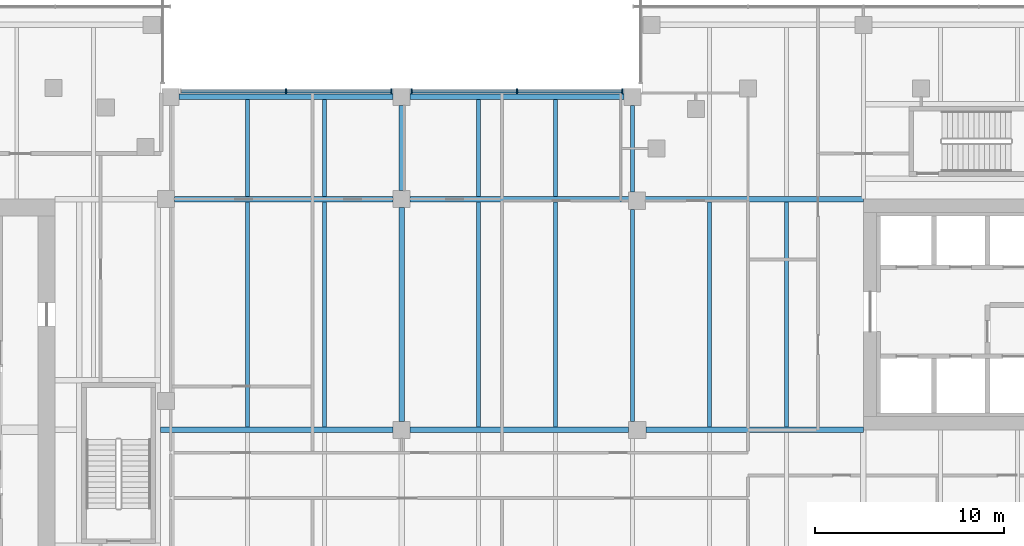
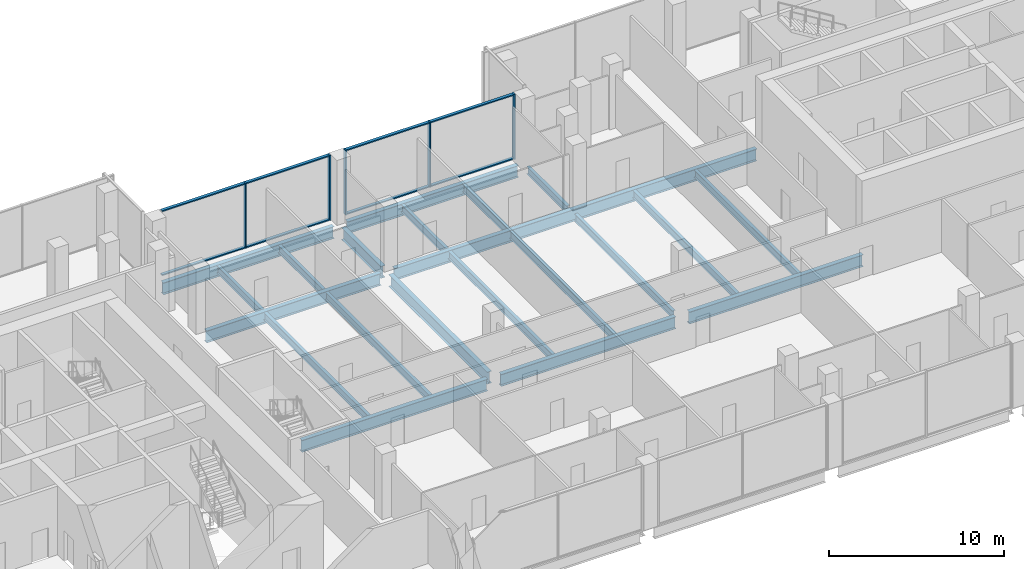
# One storey, part 10 of 33: 21 beams, 13 members, 2 elements without a shape of their own.
"""IFC4 building model written with IfcOpenShell, lengths in metres."""

import ifcopenshell
import ifcopenshell.guid

model = None  # the IFC model being written
_history = None  # IfcOwnerHistory: only IFC2X3 demands one
_inside = {}  # id of a spatial element -> (the spatial element, [elements in it])
_under = {}  # id of a project, library or spatial element -> (it, [spatial elements below it])
_declared = {}  # id of a project -> (the project, [libraries it declares])
_typed = {}  # id of a type object -> (the type object, [elements of that type])
_made_of = {}  # id of a material, layer set ... -> (it, [elements and type objects made of it])


def new_model(schema):
    """Start an empty IFC model of exactly this schema.

    Asked for "IFC4X3", IfcOpenShell would pick the latest addendum, in which some entities
    have other attributes; the version numbers below select the first issue.
    IFC2X3 requires an IfcOwnerHistory on every rooted entity: one is made here for all.
    """
    global model, _history
    if schema == "IFC4X3":
        model = ifcopenshell.file(schema_version=(4, 3, 0, 0))
    else:
        model = ifcopenshell.file(schema=schema)
    _inside.clear()
    _under.clear()
    _declared.clear()
    _typed.clear()
    _made_of.clear()
    _history = None
    if model.schema == "IFC2X3":
        org = make("IfcOrganization", Name="unknown")
        user = make(
            "IfcPersonAndOrganization",
            ThePerson=make("IfcPerson", FamilyName="unknown"),
            TheOrganization=org,
        )
        app = make(
            "IfcApplication",
            ApplicationDeveloper=org,
            Version="unknown",
            ApplicationFullName="unknown",
            ApplicationIdentifier="unknown",
        )
        _history = make(
            "IfcOwnerHistory",
            OwningUser=user,
            OwningApplication=app,
            ChangeAction="ADDED",
            CreationDate=0,
        )
    return model


def make(cls, **values):
    """One entity of the class cls with the attributes given. An attribute that is None is left unset."""
    return model.create_entity(
        cls, **{name: value for name, value in values.items() if value is not None}
    )


def rooted(cls, **values):
    """An entity with a GlobalId (a new one), such as an element, a storey or a relation."""
    return make(cls, GlobalId=ifcopenshell.guid.new(), OwnerHistory=_history, **values)


def si_unit(unit_type, name, prefix=None):
    """IfcSIUnit, for example si_unit("LENGTHUNIT", "METRE", prefix="MILLI")."""
    return make("IfcSIUnit", UnitType=unit_type, Prefix=prefix, Name=name)


def assignment(units):
    """IfcUnitAssignment: the units of a project."""
    return None if units is None else make("IfcUnitAssignment", Units=units)


def point(xyz):
    """IfcCartesianPoint."""
    return None if xyz is None else make("IfcCartesianPoint", Coordinates=xyz)


def direction(xyz):
    """IfcDirection."""
    return None if xyz is None else make("IfcDirection", DirectionRatios=xyz)


def frame(location, z_axis=None, x_axis=None):
    """IfcAxis2Placement3D, a coordinate frame: its origin and axes. An axis left out is left unset."""
    return make(
        "IfcAxis2Placement3D",
        Location=point(location),
        Axis=direction(z_axis),
        RefDirection=direction(x_axis),
    )


def frame_2d(location, x_axis=None):
    """IfcAxis2Placement2D, a coordinate frame in the plane: its origin and x axis."""
    return make(
        "IfcAxis2Placement2D", Location=point(location), RefDirection=direction(x_axis)
    )


def origin():
    """The frame at (0, 0, 0) with its axes left unset."""
    return frame((0.0, 0.0, 0.0))


def origin_2d():
    """The frame at (0, 0) in the plane with its x axis left unset."""
    return frame_2d((0.0, 0.0))


def place(relative_to, where):
    """IfcLocalPlacement: puts the frame where relative to a parent placement (None: the world)."""
    return make(
        "IfcLocalPlacement", PlacementRelTo=relative_to, RelativePlacement=where
    )


def context(
    kind, dimensions, precision=None, world=None, true_north=None, identifier=None
):
    """IfcGeometricRepresentationContext, for example the 3D "Model" context."""
    return make(
        "IfcGeometricRepresentationContext",
        ContextIdentifier=identifier,
        ContextType=kind,
        CoordinateSpaceDimension=dimensions,
        Precision=precision,
        WorldCoordinateSystem=world,
        TrueNorth=true_north,
    )


def subcontext(parent, identifier, kind, view, scale=None):
    """IfcGeometricRepresentationSubContext, for example "Body" below "Model"."""
    return make(
        "IfcGeometricRepresentationSubContext",
        ContextIdentifier=identifier,
        ContextType=kind,
        ParentContext=parent,
        TargetScale=scale,
        TargetView=view,
    )


def project(units=None, contexts=None):
    """IfcProject with its units and contexts."""
    return rooted(
        "IfcProject",
        Name="project",
        RepresentationContexts=contexts,
        UnitsInContext=assignment(units),
    )


def spatial(cls, under=None, at=None, **own):
    """A site, building, storey or space (cls), placed at a placement, below another one or the project."""
    s = rooted(cls, ObjectPlacement=at, **own)
    if under is not None:
        _under.setdefault(under.id(), (under, []))[1].append(s)
    return s


def profile(cls, at=None, kind="AREA", **sizes):
    """A parametric profile (cls). Its sizes go by their IFC names, for example OverallWidth=200.0."""
    return make(cls, ProfileType=kind, Position=at, **sizes)


def rectangle(**sizes):
    """IfcRectangleProfileDef."""
    return profile("IfcRectangleProfileDef", **sizes)


def i_section(**sizes):
    """IfcIShapeProfileDef."""
    return profile("IfcIShapeProfileDef", **sizes)


def extrude(swept, where, along, depth):
    """IfcExtrudedAreaSolid: the profile swept, set in the frame where, extruded along a direction by depth."""
    return make(
        "IfcExtrudedAreaSolid",
        SweptArea=swept,
        Position=where,
        ExtrudedDirection=direction(along),
        Depth=depth,
    )


def shape(context_of_items, identifier, shape_type, items):
    """IfcShapeRepresentation: the items that make up one representation, for example the "Body"."""
    return make(
        "IfcShapeRepresentation",
        ContextOfItems=context_of_items,
        RepresentationIdentifier=identifier,
        RepresentationType=shape_type,
        Items=items,
    )


def material(Name=None, Category=None):
    """IfcMaterial."""
    return make("IfcMaterial", Name=Name, Category=Category)


def material_profile(
    of_material, cross_section, Name=None, Category=None, Priority=None
):
    """IfcMaterialProfile: a cross section and its material."""
    return make(
        "IfcMaterialProfile",
        Name=Name,
        Material=of_material,
        Profile=cross_section,
        Priority=Priority,
        Category=Category,
    )


def profile_set(profiles, Name=None, composite=None):
    """IfcMaterialProfileSet."""
    return make(
        "IfcMaterialProfileSet",
        Name=Name,
        MaterialProfiles=profiles,
        CompositeProfile=composite,
    )


def made_of(thing, what):
    """Note that an element or type object is made of a material, layer set ...; save() writes the relation."""
    if what is not None:
        _made_of.setdefault(what.id(), (what, []))[1].append(thing)
    return thing


def type_object(cls, material=None, **own):
    """A type object (cls), such as IfcWallType, which elements share."""
    return made_of(rooted(cls, **own), material)


def element(
    cls,
    number,
    at=None,
    inside=None,
    cuts=None,
    type_object=None,
    material=None,
    context=None,
    identifier="Body",
    shape_type=None,
    held_by="IfcProductDefinitionShape",
    body=None,
    shapes=None,
    **own,
):
    """One element of the class cls, such as IfcWall. Its Tag is "e" and its number.

    at: its placement. inside: the storey or other place that contains it. cuts: it is an
    opening in that element (IfcRelVoidsElement). A single representation is given by context,
    identifier, shape_type and body (its items); several are given by shapes. held_by: the class
    of the entity that holds the representations. save() writes the other relations.
    """
    e = rooted(cls, Tag="e%d" % number, ObjectPlacement=at, **own)
    if body is not None:
        shapes = [shape(context, identifier, shape_type, body)]
    if shapes is not None:
        e.Representation = make(held_by, Representations=shapes)
    if inside is not None:
        _inside.setdefault(inside.id(), (inside, []))[1].append(e)
    if cuts is not None:
        rooted(
            "IfcRelVoidsElement", RelatingBuildingElement=cuts, RelatedOpeningElement=e
        )
    if type_object is not None:
        _typed.setdefault(type_object.id(), (type_object, []))[1].append(e)
    return made_of(e, material)


def aggregate(whole, parts):
    """IfcRelAggregates: a whole, such as a stair, and the parts it consists of."""
    return rooted("IfcRelAggregates", RelatingObject=whole, RelatedObjects=parts)


def save(model, path):
    """Write the relations noted so far, then the file.

    IfcRelAggregates (storeys below a building ...), IfcRelContainedInSpatialStructure (elements
    in a storey), IfcRelDefinesByType, IfcRelAssociatesMaterial and IfcRelDeclares: one each for
    every whole, place, type object, material and project.
    """
    for whole, parts in _under.values():
        aggregate(whole, parts)
    for where, things in _inside.values():
        rooted(
            "IfcRelContainedInSpatialStructure",
            RelatedElements=things,
            RelatingStructure=where,
        )
    for kind, things in _typed.values():
        rooted("IfcRelDefinesByType", RelatedObjects=things, RelatingType=kind)
    for what, things in _made_of.values():
        rooted("IfcRelAssociatesMaterial", RelatedObjects=things, RelatingMaterial=what)
    for by, libraries in _declared.values():
        rooted("IfcRelDeclares", RelatingContext=by, RelatedDefinitions=libraries)
    model.write(path)


model = new_model("IFC4")

# Units and contexts
model_context = context("Model", 3, precision=1e-05, world=origin(), true_north=direction((0.0, 1.0)))
body_context = subcontext(model_context, "Body", "Model", "MODEL_VIEW")
ifc_project = project(units=[si_unit("LENGTHUNIT", "METRE"), si_unit("AREAUNIT", "SQUARE_METRE"), si_unit("VOLUMEUNIT", "CUBIC_METRE"), si_unit("PLANEANGLEUNIT", "RADIAN"), si_unit("MASSUNIT", "GRAM", prefix="KILO")], contexts=[model_context])

# Site, building, storey
site_placement = place(None, origin())
site = spatial("IfcSite", under=ifc_project, at=site_placement, CompositionType="ELEMENT")
building_placement = place(site_placement, origin())
building = spatial("IfcBuilding", under=site, at=building_placement, Name="Tessera Gate Towers", CompositionType="ELEMENT")
storey_placement = place(building_placement, frame((0.0, 0.0, 7.199951171875)))
storey = spatial("IfcBuildingStorey", under=building, at=storey_placement, Name="L01", CompositionType="ELEMENT", Elevation=7.199951171875)

# Beams
ifc_material_1 = material(Name="Steel 350W", Category="steel")
ifc_material_profile_1 = material_profile(ifc_material_1, i_section(OverallWidth=0.2919921875, OverallDepth=0.8349609375, WebThickness=0.013916015625, FlangeThickness=0.018798828125, at=origin_2d()), Name="W840x176")
ifc_profile_set_1 = profile_set([ifc_material_profile_1], Name="Steel 350W")
beam_type_1 = type_object("IfcBeamType", Name="FLOOR GIRDER W840x176", PredefinedType="BEAM", material=ifc_profile_set_1)
for number, where, z_axis, x_axis, name in (
    (1, (61.449951171875, 54.199951171875, -0.66748046875), (1.0, 0.0, 0.0), (0.0, 1.0, 0.0), "PD-GD-L01-195"),
    (2, (73.64990234375, 54.199951171875, -0.66748046875), (1.0, 0.0, 0.0), (0.0, 1.0, 0.0), "PD-GD-L01-196"),
):
    element("IfcBeam", number, at=place(storey_placement, frame(where, z_axis=z_axis, x_axis=x_axis)), inside=storey, type_object=beam_type_1, Name=name, PredefinedType="BEAM", context=body_context, shape_type="SweptSolid", body=[
        extrude(i_section(OverallWidth=0.2919921875, OverallDepth=0.8349609375, WebThickness=0.013916015625, FlangeThickness=0.018798828125, at=origin_2d()), origin(), (0.0, 0.0, 1.0), 11.300048828125),
    ])
beam_1_placement = place(storey_placement, frame((60.466064453125, 36.60009765625, -0.66748046875), z_axis=(1.0, 0.0, 0.0), x_axis=(0.0, 1.0, 0.0)))
element("IfcBeam", 3, at=beam_1_placement, inside=storey, type_object=beam_type_1, Name="PD-GD-L01-215", PredefinedType="BEAM", context=body_context, shape_type="SweptSolid", body=[
    extrude(i_section(OverallWidth=0.2919921875, OverallDepth=0.8349609375, WebThickness=0.013916015625, FlangeThickness=0.018798828125, at=origin_2d()), origin(), (0.0, 0.0, 1.0), 12.283935546875),
])
beam_2_placement = place(storey_placement, frame((73.64990234375, 36.60009765625, -0.66748046875), z_axis=(1.0, 0.0, 0.0), x_axis=(0.0, 1.0, 0.0)))
element("IfcBeam", 4, at=beam_2_placement, inside=storey, type_object=beam_type_1, Name="PD-GD-L01-216", PredefinedType="BEAM", context=body_context, shape_type="SweptSolid", body=[
    extrude(i_section(OverallWidth=0.2919921875, OverallDepth=0.8349609375, WebThickness=0.013916015625, FlangeThickness=0.018798828125, at=origin_2d()), origin(), (0.0, 0.0, 1.0), 11.550048828125),
])
beam_3_placement = place(storey_placement, frame((86.10009765625, 36.60009765625, -0.66748046875), z_axis=(1.0, 0.0, 0.0), x_axis=(0.0, 1.0, 0.0)))
element("IfcBeam", 5, at=beam_3_placement, inside=storey, type_object=beam_type_1, Name="PD-GD-L01-217", PredefinedType="BEAM", context=body_context, shape_type="SweptSolid", body=[
    extrude(i_section(OverallWidth=0.2919921875, OverallDepth=0.8349609375, WebThickness=0.013916015625, FlangeThickness=0.018798828125, at=origin_2d()), origin(), (0.0, 0.0, 1.0), 11.4990234375),
])
beam_4_placement = place(storey_placement, frame((61.199951171875, 48.800048828125, -0.66748046875), z_axis=(1.0, 0.0, 0.0), x_axis=(0.0, 1.0, 0.0)))
element("IfcBeam", 6, at=beam_4_placement, inside=storey, type_object=beam_type_1, Name="PD-GD-L01-223", PredefinedType="BEAM", context=body_context, shape_type="SweptSolid", body=[
    extrude(i_section(OverallWidth=0.2919921875, OverallDepth=0.8349609375, WebThickness=0.013916015625, FlangeThickness=0.018798828125, at=origin_2d()), origin(), (0.0, 0.0, 1.0), 11.550048828125),
])
beam_5_placement = place(storey_placement, frame((73.64990234375, 48.800048828125, -0.66748046875), z_axis=(1.0, 0.0, 0.0), x_axis=(0.0, 1.0, 0.0)))
element("IfcBeam", 7, at=beam_5_placement, inside=storey, type_object=beam_type_1, Name="PD-GD-L01-224", PredefinedType="BEAM", context=body_context, shape_type="SweptSolid", body=[
    extrude(i_section(OverallWidth=0.2919921875, OverallDepth=0.8349609375, WebThickness=0.013916015625, FlangeThickness=0.018798828125, at=origin_2d()), origin(), (0.0, 0.0, 1.0), 23.94921875),
])
beam_6_placement = place(storey_placement, frame((73.199951171875, 37.050048828125, -0.66748046875), z_axis=(0.0, 1.0, 0.0), x_axis=(-1.0, 0.0, 0.0)))
element("IfcBeam", 8, at=beam_6_placement, inside=storey, type_object=beam_type_1, Name="PD-GD-L01-249", PredefinedType="BEAM", context=body_context, shape_type="SweptSolid", body=[
    extrude(i_section(OverallWidth=0.2919921875, OverallDepth=0.8349609375, WebThickness=0.013916015625, FlangeThickness=0.018798828125, at=origin_2d()), origin(), (0.0, 0.0, 1.0), 11.300048828125),
])
beam_7_placement = place(storey_placement, frame((73.199951171875, 49.25, -0.66748046875), z_axis=(0.0, 1.0, 0.0), x_axis=(-1.0, 0.0, 0.0)))
element("IfcBeam", 9, at=beam_7_placement, inside=storey, type_object=beam_type_1, Name="PD-GD-L01-250", PredefinedType="BEAM", context=body_context, shape_type="SweptSolid", body=[
    extrude(i_section(OverallWidth=0.2919921875, OverallDepth=0.8349609375, WebThickness=0.013916015625, FlangeThickness=0.018798828125, at=origin_2d()), origin(), (0.0, 0.0, 1.0), 4.5),
])
ifc_material_2 = material(Name="Steel 350W", Category="steel")
ifc_material_profile_2 = material_profile(ifc_material_2, i_section(OverallWidth=0.208984375, OverallDepth=0.528076171875, WebThickness=0.009521484375, FlangeThickness=0.01318359375, at=origin_2d()), Name="W530x82")
ifc_profile_set_2 = profile_set([ifc_material_profile_2], Name="Steel 350W")
beam_type_2 = type_object("IfcBeamType", Name="FLOOR SECONDARY W530x82", PredefinedType="BEAM", material=ifc_profile_set_2)
beam_8_placement = place(storey_placement, frame((65.066650390625, 36.74609375, -0.513916015625), z_axis=(0.0, 1.0, 0.0), x_axis=(-1.0, 0.0, 0.0)))
element("IfcBeam", 10, at=beam_8_placement, inside=storey, type_object=beam_type_2, Name="PD-BM-L01-303", PredefinedType="BEAM", context=body_context, shape_type="SweptSolid", body=[
    extrude(i_section(OverallWidth=0.208984375, OverallDepth=0.528076171875, WebThickness=0.009521484375, FlangeThickness=0.01318359375, at=origin_2d()), origin(), (0.0, 0.0, 1.0), 11.907958984375),
])
beam_9_placement = place(storey_placement, frame((65.066650390625, 48.946044921875, -0.513916015625), z_axis=(0.0, 1.0, 0.0), x_axis=(-1.0, 0.0, 0.0)))
element("IfcBeam", 11, at=beam_9_placement, inside=storey, type_object=beam_type_2, Name="PD-BM-L01-304", PredefinedType="BEAM", context=body_context, shape_type="SweptSolid", body=[
    extrude(i_section(OverallWidth=0.208984375, OverallDepth=0.528076171875, WebThickness=0.009521484375, FlangeThickness=0.01318359375, at=origin_2d()), origin(), (0.0, 0.0, 1.0), 5.10791015625),
])
beam_10_placement = place(storey_placement, frame((69.13330078125, 36.74609375, -0.513916015625), z_axis=(0.0, 1.0, 0.0), x_axis=(-1.0, 0.0, 0.0)))
element("IfcBeam", 12, at=beam_10_placement, inside=storey, type_object=beam_type_2, Name="PD-BM-L01-307", PredefinedType="BEAM", context=body_context, shape_type="SweptSolid", body=[
    extrude(i_section(OverallWidth=0.208984375, OverallDepth=0.528076171875, WebThickness=0.009521484375, FlangeThickness=0.01318359375, at=origin_2d()), origin(), (0.0, 0.0, 1.0), 11.907958984375),
])
beam_11_placement = place(storey_placement, frame((69.13330078125, 48.946044921875, -0.513916015625), z_axis=(0.0, 1.0, 0.0), x_axis=(-1.0, 0.0, 0.0)))
element("IfcBeam", 13, at=beam_11_placement, inside=storey, type_object=beam_type_2, Name="PD-BM-L01-308", PredefinedType="BEAM", context=body_context, shape_type="SweptSolid", body=[
    extrude(i_section(OverallWidth=0.208984375, OverallDepth=0.528076171875, WebThickness=0.009521484375, FlangeThickness=0.01318359375, at=origin_2d()), origin(), (0.0, 0.0, 1.0), 5.10791015625),
])
beam_12_placement = place(storey_placement, frame((77.2666015625, 36.74609375, -0.513916015625), z_axis=(0.0, 1.0, 0.0), x_axis=(-1.0, 0.0, 0.0)))
element("IfcBeam", 14, at=beam_12_placement, inside=storey, type_object=beam_type_2, Name="PD-BM-L01-311", PredefinedType="BEAM", context=body_context, shape_type="SweptSolid", body=[
    extrude(i_section(OverallWidth=0.208984375, OverallDepth=0.528076171875, WebThickness=0.009521484375, FlangeThickness=0.01318359375, at=origin_2d()), origin(), (0.0, 0.0, 1.0), 11.907958984375),
])
beam_13_placement = place(storey_placement, frame((77.2666015625, 48.946044921875, -0.513916015625), z_axis=(0.0, 1.0, 0.0), x_axis=(-1.0, 0.0, 0.0)))
element("IfcBeam", 15, at=beam_13_placement, inside=storey, type_object=beam_type_2, Name="PD-BM-L01-312", PredefinedType="BEAM", context=body_context, shape_type="SweptSolid", body=[
    extrude(i_section(OverallWidth=0.208984375, OverallDepth=0.528076171875, WebThickness=0.009521484375, FlangeThickness=0.01318359375, at=origin_2d()), origin(), (0.0, 0.0, 1.0), 5.10791015625),
])
beam_14_placement = place(storey_placement, frame((81.333251953125, 36.74609375, -0.513916015625), z_axis=(0.0, 1.0, 0.0), x_axis=(-1.0, 0.0, 0.0)))
element("IfcBeam", 16, at=beam_14_placement, inside=storey, type_object=beam_type_2, Name="PD-BM-L01-315", PredefinedType="BEAM", context=body_context, shape_type="SweptSolid", body=[
    extrude(i_section(OverallWidth=0.208984375, OverallDepth=0.528076171875, WebThickness=0.009521484375, FlangeThickness=0.01318359375, at=origin_2d()), origin(), (0.0, 0.0, 1.0), 11.907958984375),
])
beam_15_placement = place(storey_placement, frame((81.333251953125, 48.946044921875, -0.513916015625), z_axis=(0.0, 1.0, 0.0), x_axis=(-1.0, 0.0, 0.0)))
element("IfcBeam", 17, at=beam_15_placement, inside=storey, type_object=beam_type_2, Name="PD-BM-L01-316", PredefinedType="BEAM", context=body_context, shape_type="SweptSolid", body=[
    extrude(i_section(OverallWidth=0.208984375, OverallDepth=0.528076171875, WebThickness=0.009521484375, FlangeThickness=0.01318359375, at=origin_2d()), origin(), (0.0, 0.0, 1.0), 5.10791015625),
])
beam_16_placement = place(storey_placement, frame((85.39990234375, 37.050048828125, -0.513916015625), z_axis=(0.0, 1.0, 0.0), x_axis=(-1.0, 0.0, 0.0)))
element("IfcBeam", 18, at=beam_16_placement, inside=storey, type_object=beam_type_2, Name="PD-BM-L01-319", PredefinedType="BEAM", context=body_context, shape_type="SweptSolid", body=[
    extrude(i_section(OverallWidth=0.208984375, OverallDepth=0.528076171875, WebThickness=0.009521484375, FlangeThickness=0.01318359375, at=origin_2d()), origin(), (0.0, 0.0, 1.0), 11.2099609375),
])
beam_17_placement = place(storey_placement, frame((85.39990234375, 49.159912109375, -0.513916015625), z_axis=(0.0, 1.0, 0.0), x_axis=(-1.0, 0.0, 0.0)))
element("IfcBeam", 19, at=beam_17_placement, inside=storey, type_object=beam_type_2, Name="PD-BM-L01-320", PredefinedType="BEAM", context=body_context, shape_type="SweptSolid", body=[
    extrude(i_section(OverallWidth=0.208984375, OverallDepth=0.528076171875, WebThickness=0.009521484375, FlangeThickness=0.01318359375, at=origin_2d()), origin(), (0.0, 0.0, 1.0), 4.590087890625),
])
for number, where, z_axis, x_axis, name in (
    (20, (89.466796875, 36.74609375, -0.513916015625), (0.0, 1.0, 0.0), (-1.0, 0.0, 0.0), "PD-BM-L01-323"),
    (21, (93.533203125, 36.74609375, -0.513916015625), (0.0, 1.0, 0.0), (-1.0, 0.0, 0.0), "PD-BM-L01-327"),
):
    element("IfcBeam", number, at=place(storey_placement, frame(where, z_axis=z_axis, x_axis=x_axis)), inside=storey, type_object=beam_type_2, Name=name, PredefinedType="BEAM", context=body_context, shape_type="SweptSolid", body=[
        extrude(i_section(OverallWidth=0.208984375, OverallDepth=0.528076171875, WebThickness=0.009521484375, FlangeThickness=0.01318359375, at=origin_2d()), origin(), (0.0, 0.0, 1.0), 11.907958984375),
    ])

# Curtain wall, members
ifc_material_3 = material(Name="Aluminium frame", Category="aluminium")
curtain_wall_type = type_object("IfcCurtainWallType", Name="CW-S2 galleria glazing", PredefinedType="NOTDEFINED", material=ifc_material_3)
curtain_wall_1_placement = place(storey_placement, origin())
curtain_wall_1 = element("IfcCurtainWall", 22, at=curtain_wall_1_placement, inside=storey, type_object=curtain_wall_type, Name="Curtain wall galleria glazing 0197", PredefinedType="NOTDEFINED")
ifc_material_4 = material(Name="Aluminium frame", Category="aluminium")
ifc_material_profile_3 = material_profile(ifc_material_4, rectangle(XDim=0.080078125, YDim=0.25, at=origin_2d()), Name="AL 80x250")
ifc_profile_set_3 = profile_set([ifc_material_profile_3], Name="Aluminium frame")
member_type_1 = type_object("IfcMemberType", Name="MU-S2 mullion 80x250", PredefinedType="MULLION", material=ifc_profile_set_3)
member_1_placement = place(storey_placement, frame((84.8701171875, 54.5, 0.0), z_axis=(0.0, 0.0, 1.0), x_axis=(-1.0, 0.0, 0.0)))
member_1 = element("IfcMember", 23, at=member_1_placement, type_object=member_type_1, Name="PD-CW2-0197 mullion 1", PredefinedType="MULLION", context=body_context, shape_type="SweptSolid", body=[
    extrude(rectangle(XDim=0.080078125, YDim=0.25, at=origin_2d()), origin(), (0.0, 0.0, 1.0), 4.550048828125),
])
member_2_placement = place(storey_placement, frame((79.300048828125, 54.5, 0.0), z_axis=(0.0, 0.0, 1.0), x_axis=(-1.0, 0.0, 0.0)))
member_2 = element("IfcMember", 24, at=member_2_placement, type_object=member_type_1, Name="PD-CW2-0197 mullion 2", PredefinedType="MULLION", context=body_context, shape_type="SweptSolid", body=[
    extrude(rectangle(XDim=0.080078125, YDim=0.25, at=origin_2d()), origin(), (0.0, 0.0, 1.0), 4.550048828125),
])
member_3_placement = place(storey_placement, frame((73.72998046875, 54.5, 0.0), z_axis=(0.0, 0.0, 1.0), x_axis=(-1.0, 0.0, 0.0)))
member_3 = element("IfcMember", 25, at=member_3_placement, type_object=member_type_1, Name="PD-CW2-0197 mullion 3", PredefinedType="MULLION", context=body_context, shape_type="SweptSolid", body=[
    extrude(rectangle(XDim=0.080078125, YDim=0.25, at=origin_2d()), origin(), (0.0, 0.0, 1.0), 4.550048828125),
])

curtain_wall_2_placement = place(storey_placement, origin())
curtain_wall_2 = element("IfcCurtainWall", 26, at=curtain_wall_2_placement, inside=storey, type_object=curtain_wall_type, Name="Curtain wall galleria glazing 0198", PredefinedType="NOTDEFINED")
member_4_placement = place(storey_placement, frame((72.669921875, 54.5, 0.0), z_axis=(0.0, 0.0, 1.0), x_axis=(-1.0, 0.0, 0.0)))
member_4 = element("IfcMember", 27, at=member_4_placement, type_object=member_type_1, Name="PD-CW2-0198 mullion 1", PredefinedType="MULLION", context=body_context, shape_type="SweptSolid", body=[
    extrude(rectangle(XDim=0.080078125, YDim=0.25, at=origin_2d()), origin(), (0.0, 0.0, 1.0), 4.550048828125),
])
member_5_placement = place(storey_placement, frame((67.10009765625, 54.5, 0.0), z_axis=(0.0, 0.0, 1.0), x_axis=(-1.0, 0.0, 0.0)))
member_5 = element("IfcMember", 28, at=member_5_placement, type_object=member_type_1, Name="PD-CW2-0198 mullion 2", PredefinedType="MULLION", context=body_context, shape_type="SweptSolid", body=[
    extrude(rectangle(XDim=0.080078125, YDim=0.25, at=origin_2d()), origin(), (0.0, 0.0, 1.0), 4.550048828125),
])

# Member
ifc_material_5 = material(Name="Aluminium frame", Category="aluminium")
ifc_material_profile_4 = material_profile(ifc_material_5, rectangle(XDim=0.199951171875, YDim=0.080078125, at=origin_2d()), Name="AL 80x200")
ifc_profile_set_4 = profile_set([ifc_material_profile_4], Name="Aluminium frame")
member_type_2 = type_object("IfcMemberType", Name="TR-S2 transom 80x200", PredefinedType="USERDEFINED", material=ifc_profile_set_4)
member_6_placement = place(storey_placement, frame((84.830078125, 54.5, 0.0400390625), z_axis=(-1.0, 0.0, 0.0), x_axis=(0.0, -1.0, 0.0)))
member_6 = element("IfcMember", 29, at=member_6_placement, type_object=member_type_2, Name="PD-CW2-0197 transom 1.1", ObjectType="TRANSOM", PredefinedType="USERDEFINED", context=body_context, shape_type="SweptSolid", body=[
    extrude(rectangle(XDim=0.199951171875, YDim=0.080078125, at=origin_2d()), origin(), (0.0, 0.0, 1.0), 5.489990234375),
])

member_7_placement = place(storey_placement, frame((84.830078125, 54.5, 4.510009765625), z_axis=(-1.0, 0.0, 0.0), x_axis=(0.0, -1.0, 0.0)))
member_7 = element("IfcMember", 30, at=member_7_placement, type_object=member_type_2, Name="PD-CW2-0197 transom 1.2", ObjectType="TRANSOM", PredefinedType="USERDEFINED", context=body_context, shape_type="SweptSolid", body=[
    extrude(rectangle(XDim=0.199951171875, YDim=0.080078125, at=origin_2d()), origin(), (0.0, 0.0, 1.0), 5.489990234375),
])

member_8_placement = place(storey_placement, frame((79.260009765625, 54.5, 0.0400390625), z_axis=(-1.0, 0.0, 0.0), x_axis=(0.0, -1.0, 0.0)))
member_8 = element("IfcMember", 31, at=member_8_placement, type_object=member_type_2, Name="PD-CW2-0197 transom 2.1", ObjectType="TRANSOM", PredefinedType="USERDEFINED", context=body_context, shape_type="SweptSolid", body=[
    extrude(rectangle(XDim=0.199951171875, YDim=0.080078125, at=origin_2d()), origin(), (0.0, 0.0, 1.0), 5.489990234375),
])

member_9_placement = place(storey_placement, frame((79.260009765625, 54.5, 4.510009765625), z_axis=(-1.0, 0.0, 0.0), x_axis=(0.0, -1.0, 0.0)))
member_9 = element("IfcMember", 32, at=member_9_placement, type_object=member_type_2, Name="PD-CW2-0197 transom 2.2", ObjectType="TRANSOM", PredefinedType="USERDEFINED", context=body_context, shape_type="SweptSolid", body=[
    extrude(rectangle(XDim=0.199951171875, YDim=0.080078125, at=origin_2d()), origin(), (0.0, 0.0, 1.0), 5.489990234375),
])

aggregate(curtain_wall_1, [member_1, member_2, member_3, member_6, member_7, member_8, member_9])

member_10_placement = place(storey_placement, frame((72.6298828125, 54.5, 0.0400390625), z_axis=(-1.0, 0.0, 0.0), x_axis=(0.0, -1.0, 0.0)))
member_10 = element("IfcMember", 33, at=member_10_placement, type_object=member_type_2, Name="PD-CW2-0198 transom 1.1", ObjectType="TRANSOM", PredefinedType="USERDEFINED", context=body_context, shape_type="SweptSolid", body=[
    extrude(rectangle(XDim=0.199951171875, YDim=0.080078125, at=origin_2d()), origin(), (0.0, 0.0, 1.0), 5.489990234375),
])

member_11_placement = place(storey_placement, frame((72.6298828125, 54.5, 4.510009765625), z_axis=(-1.0, 0.0, 0.0), x_axis=(0.0, -1.0, 0.0)))
member_11 = element("IfcMember", 34, at=member_11_placement, type_object=member_type_2, Name="PD-CW2-0198 transom 1.2", ObjectType="TRANSOM", PredefinedType="USERDEFINED", context=body_context, shape_type="SweptSolid", body=[
    extrude(rectangle(XDim=0.199951171875, YDim=0.080078125, at=origin_2d()), origin(), (0.0, 0.0, 1.0), 5.489990234375),
])

member_12_placement = place(storey_placement, frame((67.06005859375, 54.5, 0.0400390625), z_axis=(-1.0, 0.0, 0.0), x_axis=(0.0, -1.0, 0.0)))
member_12 = element("IfcMember", 35, at=member_12_placement, type_object=member_type_2, Name="PD-CW2-0198 transom 2.1", ObjectType="TRANSOM", PredefinedType="USERDEFINED", context=body_context, shape_type="SweptSolid", body=[
    extrude(rectangle(XDim=0.199951171875, YDim=0.080078125, at=origin_2d()), origin(), (0.0, 0.0, 1.0), 5.489990234375),
])

member_13_placement = place(storey_placement, frame((67.06005859375, 54.5, 4.510009765625), z_axis=(-1.0, 0.0, 0.0), x_axis=(0.0, -1.0, 0.0)))
member_13 = element("IfcMember", 36, at=member_13_placement, type_object=member_type_2, Name="PD-CW2-0198 transom 2.2", ObjectType="TRANSOM", PredefinedType="USERDEFINED", context=body_context, shape_type="SweptSolid", body=[
    extrude(rectangle(XDim=0.199951171875, YDim=0.080078125, at=origin_2d()), origin(), (0.0, 0.0, 1.0), 5.489990234375),
])

aggregate(curtain_wall_2, [member_4, member_5, member_10, member_11, member_12, member_13])

save(model, "model.ifc")
